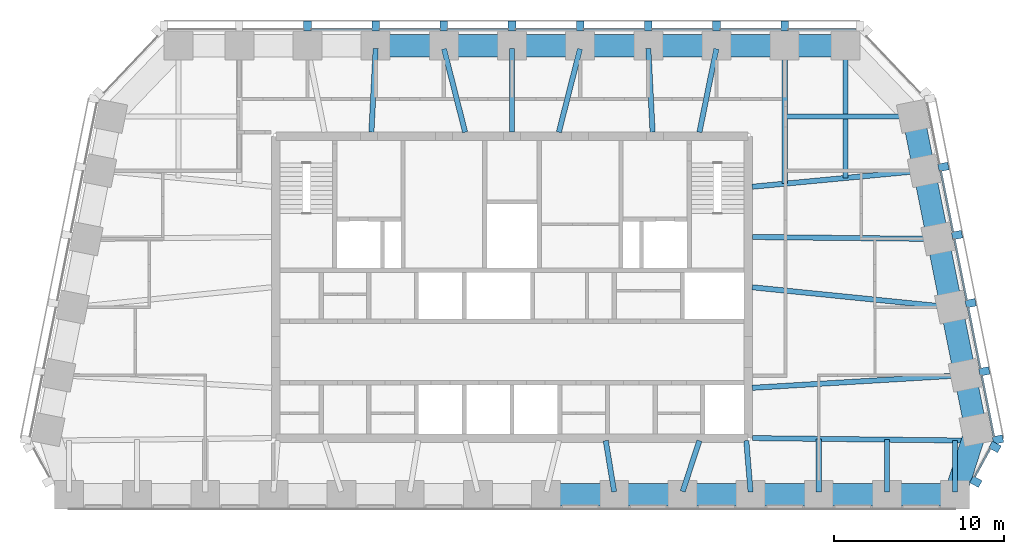
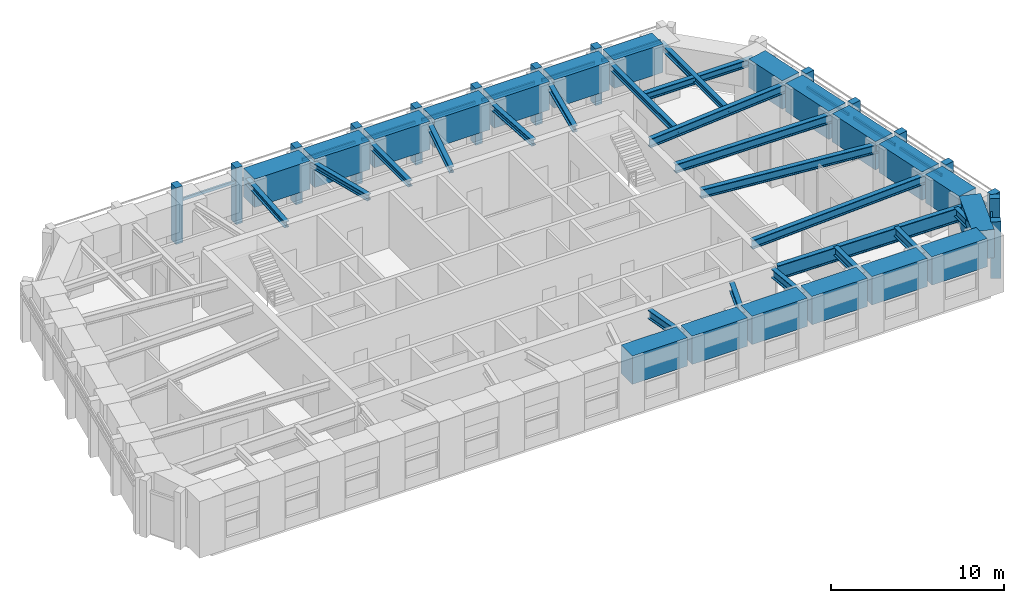
# One storey, part 2 of 9: 39 beams, 28 members, 3 elements without a shape of their own.
"""IFC4 building model written with IfcOpenShell, lengths in metres."""

from ifc_helpers import new_model, si_unit, direction, frame, origin, origin_2d, place, context, subcontext, project, spatial, rectangle, i_section, extrude, material, material_profile, profile_set, type_object, element, aggregate, save


model = new_model("IFC4")

# Units and contexts
model_context = context("Model", 3, precision=1e-05, world=origin(), true_north=direction((0.0, 1.0)))
body_context = subcontext(model_context, "Body", "Model", "MODEL_VIEW")
ifc_project = project(units=[si_unit("LENGTHUNIT", "METRE"), si_unit("AREAUNIT", "SQUARE_METRE"), si_unit("VOLUMEUNIT", "CUBIC_METRE"), si_unit("PLANEANGLEUNIT", "RADIAN"), si_unit("MASSUNIT", "GRAM", prefix="KILO")], contexts=[model_context])

# Site, building, storey
site_placement = place(None, origin())
site = spatial("IfcSite", under=ifc_project, at=site_placement, CompositionType="ELEMENT")
building_placement = place(site_placement, origin())
building = spatial("IfcBuilding", under=site, at=building_placement, Name="Isbrekke Arena Tower", CompositionType="ELEMENT")
storey_placement = place(building_placement, frame((0.0, 0.0, 316.0)))
storey = spatial("IfcBuildingStorey", under=building, at=storey_placement, Name="L74", CompositionType="ELEMENT", Elevation=316.0)

# Beams
ifc_material_1 = material(Name="Steel S355", Category="steel")
ifc_material_profile_1 = material_profile(ifc_material_1, i_section(OverallWidth=0.304931640625, OverallDepth=0.6201171875, WebThickness=0.02099609375, FlangeThickness=0.0400390625, FilletRadius=0.027099609375, at=origin_2d()), Name="HEM 600")
ifc_profile_set_1 = profile_set([ifc_material_profile_1], Name="Steel S355")
beam_type_1 = type_object("IfcBeamType", Name="B4 HEM 600", PredefinedType="BEAM", material=ifc_profile_set_1)
beam_1_placement = place(storey_placement, frame((5.995849609375, 2.99951171875, 3.5400390625), z_axis=(-0.163044952053, 0.986618641426, 0.0), x_axis=(-0.986618641426, -0.163044952053, 0.0)))
element("IfcBeam", 1, at=beam_1_placement, inside=storey, type_object=beam_type_1, Name="B4 beam C-S09 L74", PredefinedType="BEAM", context=body_context, shape_type="SweptSolid", body=[
    extrude(i_section(OverallWidth=0.304931640625, OverallDepth=0.6201171875, WebThickness=0.02099609375, FlangeThickness=0.0400390625, FilletRadius=0.027099609375, at=origin_2d()), origin(), (0.0, 0.0, 1.0), 3.041259765625),
])
beam_2_placement = place(storey_placement, frame((10.01513671875, 3.0205078125, 3.5400390625), z_axis=(0.313846083605, 0.949473873156, 0.0), x_axis=(-0.949473873156, 0.313846083605, 0.0)))
element("IfcBeam", 2, at=beam_2_placement, inside=storey, type_object=beam_type_1, Name="B4 beam C-S10 L74", PredefinedType="BEAM", context=body_context, shape_type="SweptSolid", body=[
    extrude(i_section(OverallWidth=0.304931640625, OverallDepth=0.6201171875, WebThickness=0.02099609375, FlangeThickness=0.0400390625, FilletRadius=0.027099609375, at=origin_2d()), origin(), (0.0, 0.0, 1.0), 3.137939453125),
])
beam_3_placement = place(storey_placement, frame((13.9990234375, 2.987548828125, 3.5400390625), z_axis=(-0.082383718089, 0.996600683822, 0.0), x_axis=(-0.996600683822, -0.082383718089, 0.0)))
element("IfcBeam", 3, at=beam_3_placement, inside=storey, type_object=beam_type_1, Name="B4 beam C-S11 L74", PredefinedType="BEAM", context=body_context, shape_type="SweptSolid", body=[
    extrude(i_section(OverallWidth=0.304931640625, OverallDepth=0.6201171875, WebThickness=0.02099609375, FlangeThickness=0.0400390625, FilletRadius=0.027099609375, at=origin_2d()), origin(), (0.0, 0.0, 1.0), 3.022705078125),
])
beam_4_placement = place(storey_placement, frame((18.0, 2.97509765625, 3.5400390625), z_axis=(0.0, 1.0, 0.0), x_axis=(-1.0, 0.0, 0.0)))
element("IfcBeam", 4, at=beam_4_placement, inside=storey, type_object=beam_type_1, Name="B4 beam C-S12 L74", PredefinedType="BEAM", context=body_context, shape_type="SweptSolid", body=[
    extrude(i_section(OverallWidth=0.304931640625, OverallDepth=0.6201171875, WebThickness=0.02099609375, FlangeThickness=0.0400390625, FilletRadius=0.027099609375, at=origin_2d()), origin(), (0.0, 0.0, 1.0), 3.13037109375),
])
beam_5_placement = place(storey_placement, frame((22.0, 2.97509765625, 3.5400390625), z_axis=(0.0, 1.0, 0.0), x_axis=(-1.0, 0.0, 0.0)))
element("IfcBeam", 5, at=beam_5_placement, inside=storey, type_object=beam_type_1, Name="B4 beam C-S13 L74", PredefinedType="BEAM", context=body_context, shape_type="SweptSolid", body=[
    extrude(i_section(OverallWidth=0.304931640625, OverallDepth=0.6201171875, WebThickness=0.02099609375, FlangeThickness=0.0400390625, FilletRadius=0.027099609375, at=origin_2d()), origin(), (0.0, 0.0, 1.0), 3.084716796875),
])
beam_6_placement = place(storey_placement, frame((26.0, 2.97509765625, 3.5400390625), z_axis=(0.0, 1.0, 0.0), x_axis=(-1.0, 0.0, 0.0)))
element("IfcBeam", 6, at=beam_6_placement, inside=storey, type_object=beam_type_1, Name="B4 beam C-S14 L74", PredefinedType="BEAM", context=body_context, shape_type="SweptSolid", body=[
    extrude(i_section(OverallWidth=0.304931640625, OverallDepth=0.6201171875, WebThickness=0.02099609375, FlangeThickness=0.0400390625, FilletRadius=0.027099609375, at=origin_2d()), origin(), (0.0, 0.0, 1.0), 3.0390625),
])
beam_7_placement = place(storey_placement, frame((26.431884765625, 9.837646484375, 3.5400390625), z_axis=(-0.998216240514, -0.059702070095, 0.0), x_axis=(0.059702070095, -0.998216240514, 0.0)))
element("IfcBeam", 7, at=beam_7_placement, inside=storey, type_object=beam_type_1, Name="B4 beam E-E02 L74", PredefinedType="BEAM", context=body_context, shape_type="SweptSolid", body=[
    extrude(i_section(OverallWidth=0.304931640625, OverallDepth=0.6201171875, WebThickness=0.02099609375, FlangeThickness=0.0400390625, FilletRadius=0.027099609375, at=origin_2d()), origin(), (0.0, 0.0, 1.0), 12.353759765625),
])
beam_8_placement = place(storey_placement, frame((25.625732421875, 13.83984375, 3.5400390625), z_axis=(-0.994972081505, 0.100152668587, 0.0), x_axis=(-0.100152668587, -0.994972081505, 0.0)))
element("IfcBeam", 8, at=beam_8_placement, inside=storey, type_object=beam_type_1, Name="B4 beam E-E03 L74", PredefinedType="BEAM", context=body_context, shape_type="SweptSolid", body=[
    extrude(i_section(OverallWidth=0.304931640625, OverallDepth=0.6201171875, WebThickness=0.02099609375, FlangeThickness=0.0400390625, FilletRadius=0.027099609375, at=origin_2d()), origin(), (0.0, 0.0, 1.0), 11.583984375),
])
beam_9_placement = place(storey_placement, frame((24.83935546875, 17.838134765625, 3.5400390625), z_axis=(-0.999945800258, 0.010411366203, 0.0), x_axis=(-0.010411366203, -0.999945800258, 0.0)))
element("IfcBeam", 9, at=beam_9_placement, inside=storey, type_object=beam_type_1, Name="B4 beam E-E04 L74", PredefinedType="BEAM", context=body_context, shape_type="SweptSolid", body=[
    extrude(i_section(OverallWidth=0.304931640625, OverallDepth=0.6201171875, WebThickness=0.02099609375, FlangeThickness=0.0400390625, FilletRadius=0.027099609375, at=origin_2d()), origin(), (0.0, 0.0, 1.0), 10.73974609375),
])
beam_10_placement = place(storey_placement, frame((24.02685546875, 21.8369140625, 3.5400390625), z_axis=(-0.995574576627, -0.093974796485, 0.0), x_axis=(0.093974796485, -0.995574576627, 0.0)))
element("IfcBeam", 10, at=beam_10_placement, inside=storey, type_object=beam_type_1, Name="B4 beam E-E05 L74", PredefinedType="BEAM", context=body_context, shape_type="SweptSolid", body=[
    extrude(i_section(OverallWidth=0.304931640625, OverallDepth=0.6201171875, WebThickness=0.02099609375, FlangeThickness=0.0400390625, FilletRadius=0.027099609375, at=origin_2d()), origin(), (0.0, 0.0, 1.0), 9.970947265625),
])
ifc_material_2 = material(Name="Steel S355", Category="steel")
ifc_material_profile_2 = material_profile(ifc_material_2, i_section(OverallWidth=0.305908203125, OverallDepth=0.52392578125, WebThickness=0.02099609375, FlangeThickness=0.0400390625, FilletRadius=0.027099609375, at=origin_2d()), Name="HEM 500")
ifc_profile_set_2 = profile_set([ifc_material_profile_2], Name="Steel S355")
beam_type_2 = type_object("IfcBeamType", Name="B5 HEM 500", PredefinedType="BEAM", material=ifc_profile_set_2)
beam_11_placement = place(storey_placement, frame((23.40283203125, 25.029296875, 3.587890625), z_axis=(-1.0, 0.0, 0.0), x_axis=(0.0, -1.0, 0.0)))
element("IfcBeam", 11, at=beam_11_placement, inside=storey, type_object=beam_type_2, Name="B5 beam E-E06 L74", PredefinedType="BEAM", context=body_context, shape_type="SweptSolid", body=[
    extrude(i_section(OverallWidth=0.305908203125, OverallDepth=0.52392578125, WebThickness=0.02099609375, FlangeThickness=0.0400390625, FilletRadius=0.027099609375, at=origin_2d()), origin(), (0.0, 0.0, 1.0), 7.40283203125),
])
ifc_material_3 = material(Name="Steel S355", Category="steel")
ifc_material_profile_3 = material_profile(ifc_material_3, i_section(OverallWidth=0.306884765625, OverallDepth=0.431884765625, WebThickness=0.02099609375, FlangeThickness=0.0400390625, FilletRadius=0.027099609375, at=origin_2d()), Name="HEM 400")
ifc_profile_set_3 = profile_set([ifc_material_profile_3], Name="Steel S355")
beam_type_3 = type_object("IfcBeamType", Name="B6 HEM 400", PredefinedType="BEAM", material=ifc_profile_set_3)
beam_12_placement = place(storey_placement, frame((19.574951171875, 29.02490234375, 3.634033203125), z_axis=(0.0, -1.0, 0.0), x_axis=(1.0, 0.0, 0.0)))
element("IfcBeam", 12, at=beam_12_placement, inside=storey, type_object=beam_type_3, Name="B6 beam N-N01 L74", PredefinedType="BEAM", context=body_context, shape_type="SweptSolid", body=[
    extrude(i_section(OverallWidth=0.306884765625, OverallDepth=0.431884765625, WebThickness=0.02099609375, FlangeThickness=0.0400390625, FilletRadius=0.027099609375, at=origin_2d()), origin(), (0.0, 0.0, 1.0), 7.608154296875),
])
beam_13_placement = place(storey_placement, frame((16.0, 29.02490234375, 3.634033203125), z_axis=(0.0, -1.0, 0.0), x_axis=(1.0, 0.0, 0.0)))
element("IfcBeam", 13, at=beam_13_placement, inside=storey, type_object=beam_type_3, Name="B6 beam N-N02 L74", PredefinedType="BEAM", context=body_context, shape_type="SweptSolid", body=[
    extrude(i_section(OverallWidth=0.306884765625, OverallDepth=0.431884765625, WebThickness=0.02099609375, FlangeThickness=0.0400390625, FilletRadius=0.027099609375, at=origin_2d()), origin(), (0.0, 0.0, 1.0), 7.945556640625),
])
beam_14_placement = place(storey_placement, frame((11.993896484375, 28.9951171875, 3.634033203125), z_axis=(-0.198982177337, -0.980003108721, 0.0), x_axis=(0.980003108721, -0.198982177337, 0.0)))
element("IfcBeam", 14, at=beam_14_placement, inside=storey, type_object=beam_type_3, Name="B6 beam N-N03 L74", PredefinedType="BEAM", context=body_context, shape_type="SweptSolid", body=[
    extrude(i_section(OverallWidth=0.306884765625, OverallDepth=0.431884765625, WebThickness=0.02099609375, FlangeThickness=0.0400390625, FilletRadius=0.027099609375, at=origin_2d()), origin(), (0.0, 0.0, 1.0), 4.994873046875),
])
beam_15_placement = place(storey_placement, frame((8.00048828125, 29.017333984375, 3.634033203125), z_axis=(0.050677067868, -0.998715091902, 0.0), x_axis=(0.998715091902, 0.050677067868, 0.0)))
element("IfcBeam", 15, at=beam_15_placement, inside=storey, type_object=beam_type_3, Name="B6 beam N-N04 L74", PredefinedType="BEAM", context=body_context, shape_type="SweptSolid", body=[
    extrude(i_section(OverallWidth=0.306884765625, OverallDepth=0.431884765625, WebThickness=0.02099609375, FlangeThickness=0.0400390625, FilletRadius=0.027099609375, at=origin_2d()), origin(), (0.0, 0.0, 1.0), 4.923583984375),
])
beam_16_placement = place(storey_placement, frame((3.99072265625, 28.98828125, 3.634033203125), z_axis=(-0.246019579109, -0.969264858898, 0.0), x_axis=(0.969264858898, -0.246019579109, 0.0)))
element("IfcBeam", 16, at=beam_16_placement, inside=storey, type_object=beam_type_3, Name="B6 beam N-N05 L74", PredefinedType="BEAM", context=body_context, shape_type="SweptSolid", body=[
    extrude(i_section(OverallWidth=0.306884765625, OverallDepth=0.431884765625, WebThickness=0.02099609375, FlangeThickness=0.0400390625, FilletRadius=0.027099609375, at=origin_2d()), origin(), (0.0, 0.0, 1.0), 5.043212890625),
])
beam_17_placement = place(storey_placement, frame((0.0, 29.02490234375, 3.634033203125), z_axis=(0.0, -1.0, 0.0), x_axis=(1.0, 0.0, 0.0)))
element("IfcBeam", 17, at=beam_17_placement, inside=storey, type_object=beam_type_3, Name="B6 beam N-N06 L74", PredefinedType="BEAM", context=body_context, shape_type="SweptSolid", body=[
    extrude(i_section(OverallWidth=0.306884765625, OverallDepth=0.431884765625, WebThickness=0.02099609375, FlangeThickness=0.0400390625, FilletRadius=0.027099609375, at=origin_2d()), origin(), (0.0, 0.0, 1.0), 4.9248046875),
])
beam_18_placement = place(storey_placement, frame((-3.99072265625, 28.98828125, 3.634033203125), z_axis=(0.246019579109, -0.969264858898, 0.0), x_axis=(0.969264858898, 0.246019579109, 0.0)))
element("IfcBeam", 18, at=beam_18_placement, inside=storey, type_object=beam_type_3, Name="B6 beam N-N07 L74", PredefinedType="BEAM", context=body_context, shape_type="SweptSolid", body=[
    extrude(i_section(OverallWidth=0.306884765625, OverallDepth=0.431884765625, WebThickness=0.02099609375, FlangeThickness=0.0400390625, FilletRadius=0.027099609375, at=origin_2d()), origin(), (0.0, 0.0, 1.0), 5.043212890625),
])
beam_19_placement = place(storey_placement, frame((-8.00048828125, 29.017333984375, 3.634033203125), z_axis=(-0.050677067868, -0.998715091902, 0.0), x_axis=(0.998715091902, -0.050677067868, 0.0)))
element("IfcBeam", 19, at=beam_19_placement, inside=storey, type_object=beam_type_3, Name="B6 beam N-N08 L74", PredefinedType="BEAM", context=body_context, shape_type="SweptSolid", body=[
    extrude(i_section(OverallWidth=0.306884765625, OverallDepth=0.431884765625, WebThickness=0.02099609375, FlangeThickness=0.0400390625, FilletRadius=0.027099609375, at=origin_2d()), origin(), (0.0, 0.0, 1.0), 4.923583984375),
])

# Curtain wall, members
ifc_material_4 = material(Name="Glazed aluminium curtain wall", Category="aluminium")
curtain_wall_type = type_object("IfcCurtainWallType", Name="CWT TOWER CURTAIN WALL TOP ZONE", PredefinedType="USERDEFINED", material=ifc_material_4)
curtain_wall_1_placement = place(storey_placement, origin())
curtain_wall_1 = element("IfcCurtainWall", 20, at=curtain_wall_1_placement, inside=storey, type_object=curtain_wall_type, Name="CWT curtain wall L74-SE", ObjectType="TOWER CURTAIN WALL TOP ZONE", PredefinedType="USERDEFINED")
ifc_material_5 = material(Name="Copper-clad aluminium mullion", Category="aluminium")
ifc_material_profile_4 = material_profile(ifc_material_5, rectangle(XDim=0.449951171875, YDim=0.60009765625, at=origin_2d()), Name="PIER 450X600")
ifc_profile_set_4 = profile_set([ifc_material_profile_4], Name="Copper-clad aluminium mullion")
member_type_1 = type_object("IfcMemberType", Name="CWT-M PIER MULLION 450 x 600", PredefinedType="MULLION", material=ifc_profile_set_4)
member_1_placement = place(storey_placement, frame((27.218994140625, 3.593994140625, 0.0), z_axis=(0.0, 0.0, 1.0), x_axis=(0.481918749773, 0.876215908676, 0.0)))
member_1 = element("IfcMember", 21, at=member_1_placement, type_object=member_type_1, Name="CWT-M mullion 1", PredefinedType="MULLION", context=body_context, shape_type="SweptSolid", body=[
    extrude(rectangle(XDim=0.449951171875, YDim=0.60009765625, at=origin_2d()), origin(), (0.0, 0.0, 1.0), 4.0),
])
member_2_placement = place(storey_placement, frame((28.340087890625, 5.632080078125, 0.0), z_axis=(0.0, 0.0, 1.0), x_axis=(0.481918749773, 0.876215908676, 0.0)))
member_2 = element("IfcMember", 22, at=member_2_placement, type_object=member_type_1, Name="CWT-M mullion 2", PredefinedType="MULLION", context=body_context, shape_type="SweptSolid", body=[
    extrude(rectangle(XDim=0.449951171875, YDim=0.60009765625, at=origin_2d()), origin(), (0.0, 0.0, 1.0), 4.0),
])

curtain_wall_2_placement = place(storey_placement, origin())
curtain_wall_2 = element("IfcCurtainWall", 23, at=curtain_wall_2_placement, inside=storey, type_object=curtain_wall_type, Name="CWT curtain wall L74-E", ObjectType="TOWER CURTAIN WALL TOP ZONE", PredefinedType="USERDEFINED")
member_3_placement = place(storey_placement, frame((28.518798828125, 6.063720703125, 0.0), z_axis=(0.0, 0.0, 1.0), x_axis=(-0.196116135138, 0.980580675691, 0.0)))
member_3 = element("IfcMember", 24, at=member_3_placement, type_object=member_type_1, Name="CWT-M mullion 1", PredefinedType="MULLION", context=body_context, shape_type="SweptSolid", body=[
    extrude(rectangle(XDim=0.449951171875, YDim=0.60009765625, at=origin_2d()), origin(), (0.0, 0.0, 1.0), 4.0),
])
member_4_placement = place(storey_placement, frame((27.71875, 10.063720703125, 0.0), z_axis=(0.0, 0.0, 1.0), x_axis=(-0.196116135138, 0.980580675691, 0.0)))
member_4 = element("IfcMember", 25, at=member_4_placement, type_object=member_type_1, Name="CWT-M mullion 2", PredefinedType="MULLION", context=body_context, shape_type="SweptSolid", body=[
    extrude(rectangle(XDim=0.449951171875, YDim=0.60009765625, at=origin_2d()), origin(), (0.0, 0.0, 1.0), 4.0),
])
member_5_placement = place(storey_placement, frame((26.918701171875, 14.063720703125, 0.0), z_axis=(0.0, 0.0, 1.0), x_axis=(-0.196116135138, 0.980580675691, 0.0)))
member_5 = element("IfcMember", 26, at=member_5_placement, type_object=member_type_1, Name="CWT-M mullion 3", PredefinedType="MULLION", context=body_context, shape_type="SweptSolid", body=[
    extrude(rectangle(XDim=0.449951171875, YDim=0.60009765625, at=origin_2d()), origin(), (0.0, 0.0, 1.0), 4.0),
])
member_6_placement = place(storey_placement, frame((26.11865234375, 18.063720703125, 0.0), z_axis=(0.0, 0.0, 1.0), x_axis=(-0.196116135138, 0.980580675691, 0.0)))
member_6 = element("IfcMember", 27, at=member_6_placement, type_object=member_type_1, Name="CWT-M mullion 4", PredefinedType="MULLION", context=body_context, shape_type="SweptSolid", body=[
    extrude(rectangle(XDim=0.449951171875, YDim=0.60009765625, at=origin_2d()), origin(), (0.0, 0.0, 1.0), 4.0),
])
member_7_placement = place(storey_placement, frame((25.318603515625, 22.063720703125, 0.0), z_axis=(0.0, 0.0, 1.0), x_axis=(-0.196116135138, 0.980580675691, 0.0)))
member_7 = element("IfcMember", 28, at=member_7_placement, type_object=member_type_1, Name="CWT-M mullion 5", PredefinedType="MULLION", context=body_context, shape_type="SweptSolid", body=[
    extrude(rectangle(XDim=0.449951171875, YDim=0.60009765625, at=origin_2d()), origin(), (0.0, 0.0, 1.0), 4.0),
])

curtain_wall_3_placement = place(storey_placement, origin())
curtain_wall_3 = element("IfcCurtainWall", 29, at=curtain_wall_3_placement, inside=storey, type_object=curtain_wall_type, Name="CWT curtain wall L74-N", ObjectType="TOWER CURTAIN WALL TOP ZONE", PredefinedType="USERDEFINED")
member_8_placement = place(storey_placement, frame((16.0, 30.324951171875, 0.0), z_axis=(0.0, 0.0, 1.0), x_axis=(-1.0, 0.0, 0.0)))
member_8 = element("IfcMember", 30, at=member_8_placement, type_object=member_type_1, Name="CWT-M mullion 2", PredefinedType="MULLION", context=body_context, shape_type="SweptSolid", body=[
    extrude(rectangle(XDim=0.449951171875, YDim=0.60009765625, at=origin_2d()), origin(), (0.0, 0.0, 1.0), 4.0),
])
member_9_placement = place(storey_placement, frame((12.0, 30.324951171875, 0.0), z_axis=(0.0, 0.0, 1.0), x_axis=(-1.0, 0.0, 0.0)))
member_9 = element("IfcMember", 31, at=member_9_placement, type_object=member_type_1, Name="CWT-M mullion 3", PredefinedType="MULLION", context=body_context, shape_type="SweptSolid", body=[
    extrude(rectangle(XDim=0.449951171875, YDim=0.60009765625, at=origin_2d()), origin(), (0.0, 0.0, 1.0), 4.0),
])
member_10_placement = place(storey_placement, frame((8.0, 30.324951171875, 0.0), z_axis=(0.0, 0.0, 1.0), x_axis=(-1.0, 0.0, 0.0)))
member_10 = element("IfcMember", 32, at=member_10_placement, type_object=member_type_1, Name="CWT-M mullion 4", PredefinedType="MULLION", context=body_context, shape_type="SweptSolid", body=[
    extrude(rectangle(XDim=0.449951171875, YDim=0.60009765625, at=origin_2d()), origin(), (0.0, 0.0, 1.0), 4.0),
])
member_11_placement = place(storey_placement, frame((4.0, 30.324951171875, 0.0), z_axis=(0.0, 0.0, 1.0), x_axis=(-1.0, 0.0, 0.0)))
member_11 = element("IfcMember", 33, at=member_11_placement, type_object=member_type_1, Name="CWT-M mullion 5", PredefinedType="MULLION", context=body_context, shape_type="SweptSolid", body=[
    extrude(rectangle(XDim=0.449951171875, YDim=0.60009765625, at=origin_2d()), origin(), (0.0, 0.0, 1.0), 4.0),
])
member_12_placement = place(storey_placement, frame((0.0, 30.324951171875, 0.0), z_axis=(0.0, 0.0, 1.0), x_axis=(-1.0, 0.0, 0.0)))
member_12 = element("IfcMember", 34, at=member_12_placement, type_object=member_type_1, Name="CWT-M mullion 6", PredefinedType="MULLION", context=body_context, shape_type="SweptSolid", body=[
    extrude(rectangle(XDim=0.449951171875, YDim=0.60009765625, at=origin_2d()), origin(), (0.0, 0.0, 1.0), 4.0),
])
member_13_placement = place(storey_placement, frame((-4.0, 30.324951171875, 0.0), z_axis=(0.0, 0.0, 1.0), x_axis=(-1.0, 0.0, 0.0)))
member_13 = element("IfcMember", 35, at=member_13_placement, type_object=member_type_1, Name="CWT-M mullion 7", PredefinedType="MULLION", context=body_context, shape_type="SweptSolid", body=[
    extrude(rectangle(XDim=0.449951171875, YDim=0.60009765625, at=origin_2d()), origin(), (0.0, 0.0, 1.0), 4.0),
])
member_14_placement = place(storey_placement, frame((-8.0, 30.324951171875, 0.0), z_axis=(0.0, 0.0, 1.0), x_axis=(-1.0, 0.0, 0.0)))
member_14 = element("IfcMember", 36, at=member_14_placement, type_object=member_type_1, Name="CWT-M mullion 8", PredefinedType="MULLION", context=body_context, shape_type="SweptSolid", body=[
    extrude(rectangle(XDim=0.449951171875, YDim=0.60009765625, at=origin_2d()), origin(), (0.0, 0.0, 1.0), 4.0),
])
member_15_placement = place(storey_placement, frame((-12.0, 30.324951171875, 0.0), z_axis=(0.0, 0.0, 1.0), x_axis=(-1.0, 0.0, 0.0)))
member_15 = element("IfcMember", 37, at=member_15_placement, type_object=member_type_1, Name="CWT-M mullion 9", PredefinedType="MULLION", context=body_context, shape_type="SweptSolid", body=[
    extrude(rectangle(XDim=0.449951171875, YDim=0.60009765625, at=origin_2d()), origin(), (0.0, 0.0, 1.0), 4.0),
])

# Member
ifc_material_6 = material(Name="Aluminium transom", Category="aluminium")
ifc_material_profile_5 = material_profile(ifc_material_6, rectangle(XDim=0.1201171875, YDim=0.199951171875, at=origin_2d()), Name="TRANSOM 120X200")
ifc_profile_set_5 = profile_set([ifc_material_profile_5], Name="Aluminium transom")
member_type_2 = type_object("IfcMemberType", Name="CWT-T TRANSOM 120 x 200", PredefinedType="USERDEFINED", material=ifc_profile_set_5)
member_16_placement = place(storey_placement, frame((27.152099609375, 3.887451171875, 3.0), z_axis=(0.482003669577, 0.876169197424, 0.0), x_axis=(-0.876169197424, 0.482003669577, 0.0)))
member_16 = element("IfcMember", 38, at=member_16_placement, type_object=member_type_2, Name="CWT-T transom 1", ObjectType="TRANSOM", PredefinedType="USERDEFINED", context=body_context, shape_type="SweptSolid", body=[
    extrude(rectangle(XDim=0.1201171875, YDim=0.199951171875, at=origin_2d()), origin(), (0.0, 0.0, 1.0), 1.876220703125),
])

aggregate(curtain_wall_1, [member_1, member_2, member_16])

member_17_placement = place(storey_placement, frame((28.278564453125, 6.2451171875, 3.0), z_axis=(-0.196154943734, 0.980572913173, 0.0), x_axis=(-0.980572913173, -0.196154943734, 0.0)))
member_17 = element("IfcMember", 39, at=member_17_placement, type_object=member_type_2, Name="CWT-T transom 1", ObjectType="TRANSOM", PredefinedType="USERDEFINED", context=body_context, shape_type="SweptSolid", body=[
    extrude(rectangle(XDim=0.1201171875, YDim=0.199951171875, at=origin_2d()), origin(), (0.0, 0.0, 1.0), 3.62939453125),
])

member_18_placement = place(storey_placement, frame((27.478515625, 10.2451171875, 3.0), z_axis=(-0.196154943734, 0.980572913173, 0.0), x_axis=(-0.980572913173, -0.196154943734, 0.0)))
member_18 = element("IfcMember", 40, at=member_18_placement, type_object=member_type_2, Name="CWT-T transom 2", ObjectType="TRANSOM", PredefinedType="USERDEFINED", context=body_context, shape_type="SweptSolid", body=[
    extrude(rectangle(XDim=0.1201171875, YDim=0.199951171875, at=origin_2d()), origin(), (0.0, 0.0, 1.0), 3.62939453125),
])

member_19_placement = place(storey_placement, frame((26.678466796875, 14.2451171875, 3.0), z_axis=(-0.196090262229, 0.980585849918, 0.0), x_axis=(-0.980585849918, -0.196090262229, 0.0)))
member_19 = element("IfcMember", 41, at=member_19_placement, type_object=member_type_2, Name="CWT-T transom 3", ObjectType="TRANSOM", PredefinedType="USERDEFINED", context=body_context, shape_type="SweptSolid", body=[
    extrude(rectangle(XDim=0.1201171875, YDim=0.199951171875, at=origin_2d()), origin(), (0.0, 0.0, 1.0), 3.62939453125),
])

member_20_placement = place(storey_placement, frame((25.87841796875, 18.2451171875, 3.0), z_axis=(-0.196090262229, 0.980585849918, 0.0), x_axis=(-0.980585849918, -0.196090262229, 0.0)))
member_20 = element("IfcMember", 42, at=member_20_placement, type_object=member_type_2, Name="CWT-T transom 4", ObjectType="TRANSOM", PredefinedType="USERDEFINED", context=body_context, shape_type="SweptSolid", body=[
    extrude(rectangle(XDim=0.1201171875, YDim=0.199951171875, at=origin_2d()), origin(), (0.0, 0.0, 1.0), 3.62939453125),
])

aggregate(curtain_wall_2, [member_3, member_4, member_5, member_6, member_7, member_17, member_18, member_19, member_20])

member_21_placement = place(storey_placement, frame((20.175048828125, 30.125, 3.0), z_axis=(-1.0, 0.0, 0.0), x_axis=(0.0, -1.0, 0.0)))
member_21 = element("IfcMember", 43, at=member_21_placement, type_object=member_type_2, Name="CWT-T transom 1", ObjectType="TRANSOM", PredefinedType="USERDEFINED", context=body_context, shape_type="SweptSolid", body=[
    extrude(rectangle(XDim=0.1201171875, YDim=0.199951171875, at=origin_2d()), origin(), (0.0, 0.0, 1.0), 3.949951171875),
])

member_22_placement = place(storey_placement, frame((15.77490234375, 30.125, 3.0), z_axis=(-1.0, 0.0, 0.0), x_axis=(0.0, -1.0, 0.0)))
member_22 = element("IfcMember", 44, at=member_22_placement, type_object=member_type_2, Name="CWT-T transom 2", ObjectType="TRANSOM", PredefinedType="USERDEFINED", context=body_context, shape_type="SweptSolid", body=[
    extrude(rectangle(XDim=0.1201171875, YDim=0.199951171875, at=origin_2d()), origin(), (0.0, 0.0, 1.0), 3.5498046875),
])

member_23_placement = place(storey_placement, frame((11.77490234375, 30.125, 3.0), z_axis=(-1.0, 0.0, 0.0), x_axis=(0.0, -1.0, 0.0)))
member_23 = element("IfcMember", 45, at=member_23_placement, type_object=member_type_2, Name="CWT-T transom 3", ObjectType="TRANSOM", PredefinedType="USERDEFINED", context=body_context, shape_type="SweptSolid", body=[
    extrude(rectangle(XDim=0.1201171875, YDim=0.199951171875, at=origin_2d()), origin(), (0.0, 0.0, 1.0), 3.5498046875),
])

member_24_placement = place(storey_placement, frame((7.77490234375, 30.125, 3.0), z_axis=(-1.0, 0.0, 0.0), x_axis=(0.0, -1.0, 0.0)))
member_24 = element("IfcMember", 46, at=member_24_placement, type_object=member_type_2, Name="CWT-T transom 4", ObjectType="TRANSOM", PredefinedType="USERDEFINED", context=body_context, shape_type="SweptSolid", body=[
    extrude(rectangle(XDim=0.1201171875, YDim=0.199951171875, at=origin_2d()), origin(), (0.0, 0.0, 1.0), 3.5498046875),
])

member_25_placement = place(storey_placement, frame((3.77490234375, 30.125, 3.0), z_axis=(-1.0, 0.0, 0.0), x_axis=(0.0, -1.0, 0.0)))
member_25 = element("IfcMember", 47, at=member_25_placement, type_object=member_type_2, Name="CWT-T transom 5", ObjectType="TRANSOM", PredefinedType="USERDEFINED", context=body_context, shape_type="SweptSolid", body=[
    extrude(rectangle(XDim=0.1201171875, YDim=0.199951171875, at=origin_2d()), origin(), (0.0, 0.0, 1.0), 3.5498046875),
])

member_26_placement = place(storey_placement, frame((-0.22509765625, 30.125, 3.0), z_axis=(-1.0, 0.0, 0.0), x_axis=(0.0, -1.0, 0.0)))
member_26 = element("IfcMember", 48, at=member_26_placement, type_object=member_type_2, Name="CWT-T transom 6", ObjectType="TRANSOM", PredefinedType="USERDEFINED", context=body_context, shape_type="SweptSolid", body=[
    extrude(rectangle(XDim=0.1201171875, YDim=0.199951171875, at=origin_2d()), origin(), (0.0, 0.0, 1.0), 3.5498046875),
])

member_27_placement = place(storey_placement, frame((-4.22509765625, 30.125, 3.0), z_axis=(-1.0, 0.0, 0.0), x_axis=(0.0, -1.0, 0.0)))
member_27 = element("IfcMember", 49, at=member_27_placement, type_object=member_type_2, Name="CWT-T transom 7", ObjectType="TRANSOM", PredefinedType="USERDEFINED", context=body_context, shape_type="SweptSolid", body=[
    extrude(rectangle(XDim=0.1201171875, YDim=0.199951171875, at=origin_2d()), origin(), (0.0, 0.0, 1.0), 3.5498046875),
])

member_28_placement = place(storey_placement, frame((-8.22509765625, 30.125, 3.0), z_axis=(-1.0, 0.0, 0.0), x_axis=(0.0, -1.0, 0.0)))
member_28 = element("IfcMember", 50, at=member_28_placement, type_object=member_type_2, Name="CWT-T transom 8", ObjectType="TRANSOM", PredefinedType="USERDEFINED", context=body_context, shape_type="SweptSolid", body=[
    extrude(rectangle(XDim=0.1201171875, YDim=0.199951171875, at=origin_2d()), origin(), (0.0, 0.0, 1.0), 3.5498046875),
])

aggregate(curtain_wall_3, [member_8, member_9, member_10, member_11, member_12, member_13, member_14, member_15, member_21, member_22, member_23, member_24, member_25, member_26, member_27, member_28])

# Beams
ifc_material_7 = material(Name="Steel S355", Category="steel")
ifc_material_profile_6 = material_profile(ifc_material_7, i_section(OverallWidth=0.302001953125, OverallDepth=1.008056640625, WebThickness=0.02099609375, FlangeThickness=0.0400390625, FilletRadius=0.030029296875, at=origin_2d()), Name="HEM 1000")
ifc_profile_set_6 = profile_set([ifc_material_profile_6], Name="Steel S355")
beam_type_4 = type_object("IfcBeamType", Name="G2 HEM 1000", PredefinedType="BEAM", material=ifc_profile_set_6)
beam_20_placement = place(storey_placement, frame((14.10009765625, 6.14990234375, 3.345947265625), z_axis=(0.999934809516, -0.011418262471, 0.0), x_axis=(0.011418262471, 0.999934809516, 0.0)))
element("IfcBeam", 51, at=beam_20_placement, inside=storey, type_object=beam_type_4, Name="G2 beam G2-E L74", PredefinedType="BEAM", context=body_context, shape_type="SweptSolid", body=[
    extrude(i_section(OverallWidth=0.302001953125, OverallDepth=1.008056640625, WebThickness=0.02099609375, FlangeThickness=0.0400390625, FilletRadius=0.030029296875, at=origin_2d()), origin(), (0.0, 0.0, 1.0), 13.12841796875),
])
ifc_material_8 = material(Name="Concrete B55 (C55/67)", Category="concrete")
ifc_material_profile_7 = material_profile(ifc_material_8, rectangle(XDim=1.300048828125, YDim=2.0, at=origin_2d()), Name="RC 1300x2000")
ifc_profile_set_7 = profile_set([ifc_material_profile_7], Name="Concrete B55 (C55/67)")
beam_type_5 = type_object("IfcBeamType", Name="SB4 RC 1300 x 2000", PredefinedType="SPANDREL", material=ifc_profile_set_7)
for number, where, z_axis, x_axis, name in (
    (52, (2.14990234375, 2.824951171875, 3.0), (1.0, 0.0, 0.0), (0.0, 1.0, 0.0), "SB4 spandrel S08-S09 L74"),
    (53, (6.14990234375, 2.824951171875, 3.0), (1.0, 0.0, 0.0), (0.0, 1.0, 0.0), "SB4 spandrel S09-S10 L74"),
    (54, (10.14990234375, 2.824951171875, 3.0), (1.0, 0.0, 0.0), (0.0, 1.0, 0.0), "SB4 spandrel S10-S11 L74"),
    (55, (14.14990234375, 2.824951171875, 3.0), (1.0, 0.0, 0.0), (0.0, 1.0, 0.0), "SB4 spandrel S11-S12 L74"),
    (56, (18.14990234375, 2.824951171875, 3.0), (1.0, 0.0, 0.0), (0.0, 1.0, 0.0), "SB4 spandrel S12-S13 L74"),
    (57, (22.14990234375, 2.824951171875, 3.0), (1.0, 0.0, 0.0), (0.0, 1.0, 0.0), "SB4 spandrel S13-S14 L74"),
):
    element("IfcBeam", number, at=place(storey_placement, frame(where, z_axis=z_axis, x_axis=x_axis)), inside=storey, type_object=beam_type_5, Name=name, PredefinedType="SPANDREL", context=body_context, shape_type="SweptSolid", body=[
        extrude(rectangle(XDim=1.300048828125, YDim=2.0, at=origin_2d()), origin(), (0.0, 0.0, 1.0), 3.7001953125),
    ])
beam_21_placement = place(storey_placement, frame((26.0458984375, 2.9677734375, 3.0), z_axis=(0.306175101476, 0.951975213562, 0.0), x_axis=(-0.951975213562, 0.306175101476, 0.0)))
element("IfcBeam", 58, at=beam_21_placement, inside=storey, type_object=beam_type_5, Name="SB4 spandrel S14-E01 L74", PredefinedType="SPANDREL", context=body_context, shape_type="SweptSolid", body=[
    extrude(rectangle(XDim=1.300048828125, YDim=2.0, at=origin_2d()), origin(), (0.0, 0.0, 1.0), 3.715087890625),
])
beam_22_placement = place(storey_placement, frame((27.19970703125, 6.794189453125, 3.0), z_axis=(-0.196100243168, 0.980583853951, 0.0), x_axis=(-0.980583853951, -0.196100243168, 0.0)))
element("IfcBeam", 59, at=beam_22_placement, inside=storey, type_object=beam_type_5, Name="SB4 spandrel E01-E02 L74", PredefinedType="SPANDREL", context=body_context, shape_type="SweptSolid", body=[
    extrude(rectangle(XDim=1.300048828125, YDim=2.0, at=origin_2d()), origin(), (0.0, 0.0, 1.0), 2.954345703125),
])
beam_23_placement = place(storey_placement, frame((26.5615234375, 9.9853515625, 3.0), z_axis=(-0.1960664412, 0.980590613169, 0.0), x_axis=(-0.980590613169, -0.1960664412, 0.0)))
element("IfcBeam", 60, at=beam_23_placement, inside=storey, type_object=beam_type_5, Name="SB4 spandrel E02-E03 L74", PredefinedType="SPANDREL", context=body_context, shape_type="SweptSolid", body=[
    extrude(rectangle(XDim=1.300048828125, YDim=2.0, at=origin_2d()), origin(), (0.0, 0.0, 1.0), 3.779052734375),
])
for number, where, z_axis, x_axis, name in (
    (61, (25.76171875, 13.9853515625, 3.0), (-0.196128558387, 0.980578190959, 0.0), (-0.980578190959, -0.196128558387, 0.0), "SB4 spandrel E03-E04 L74"),
    (62, (24.961669921875, 17.9853515625, 3.0), (-0.196128558387, 0.980578190959, 0.0), (-0.980578190959, -0.196128558387, 0.0), "SB4 spandrel E04-E05 L74"),
):
    element("IfcBeam", number, at=place(storey_placement, frame(where, z_axis=z_axis, x_axis=x_axis)), inside=storey, type_object=beam_type_5, Name=name, PredefinedType="SPANDREL", context=body_context, shape_type="SweptSolid", body=[
        extrude(rectangle(XDim=1.300048828125, YDim=2.0, at=origin_2d()), origin(), (0.0, 0.0, 1.0), 3.779296875),
    ])
beam_24_placement = place(storey_placement, frame((24.16162109375, 21.9853515625, 3.0), z_axis=(-0.196116135138, 0.980580675691, 0.0), x_axis=(-0.980580675691, -0.196116135138, 0.0)))
element("IfcBeam", 63, at=beam_24_placement, inside=storey, type_object=beam_type_5, Name="SB4 spandrel E05-E06 L74", PredefinedType="SPANDREL", context=body_context, shape_type="SweptSolid", body=[
    extrude(rectangle(XDim=1.300048828125, YDim=2.0, at=origin_2d()), origin(), (0.0, 0.0, 1.0), 2.9541015625),
])
beam_25_placement = place(storey_placement, frame((19.425048828125, 29.175048828125, 3.0), z_axis=(-1.0, 0.0, 0.0), x_axis=(0.0, -1.0, 0.0)))
element("IfcBeam", 64, at=beam_25_placement, inside=storey, type_object=beam_type_5, Name="SB4 spandrel N01-N02 L74", PredefinedType="SPANDREL", context=body_context, shape_type="SweptSolid", body=[
    extrude(rectangle(XDim=1.300048828125, YDim=2.0, at=origin_2d()), origin(), (0.0, 0.0, 1.0), 3.275146484375),
])
for number, where, z_axis, x_axis, name in (
    (65, (15.85009765625, 29.175048828125, 3.0), (-1.0, 0.0, 0.0), (0.0, -1.0, 0.0), "SB4 spandrel N02-N03 L74"),
    (66, (11.85009765625, 29.175048828125, 3.0), (-1.0, 0.0, 0.0), (0.0, -1.0, 0.0), "SB4 spandrel N03-N04 L74"),
    (67, (7.85009765625, 29.175048828125, 3.0), (-1.0, 0.0, 0.0), (0.0, -1.0, 0.0), "SB4 spandrel N04-N05 L74"),
    (68, (3.85009765625, 29.175048828125, 3.0), (-1.0, 0.0, 0.0), (0.0, -1.0, 0.0), "SB4 spandrel N05-N06 L74"),
    (69, (-0.14990234375, 29.175048828125, 3.0), (-1.0, 0.0, 0.0), (0.0, -1.0, 0.0), "SB4 spandrel N06-N07 L74"),
    (70, (-4.14990234375, 29.175048828125, 3.0), (-1.0, 0.0, 0.0), (0.0, -1.0, 0.0), "SB4 spandrel N07-N08 L74"),
):
    element("IfcBeam", number, at=place(storey_placement, frame(where, z_axis=z_axis, x_axis=x_axis)), inside=storey, type_object=beam_type_5, Name=name, PredefinedType="SPANDREL", context=body_context, shape_type="SweptSolid", body=[
        extrude(rectangle(XDim=1.300048828125, YDim=2.0, at=origin_2d()), origin(), (0.0, 0.0, 1.0), 3.7001953125),
    ])

save(model, "model.ifc")
